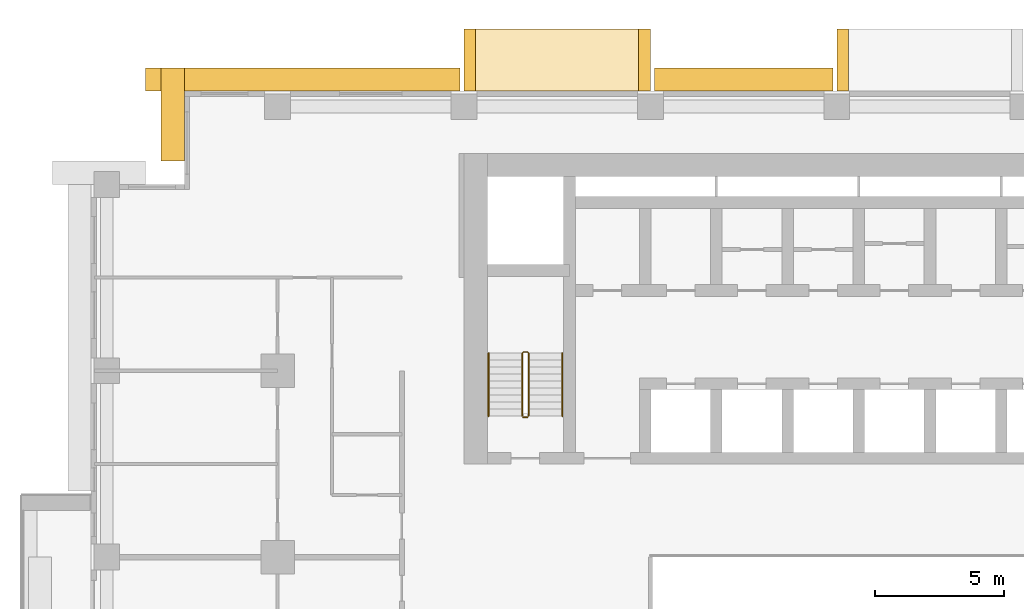
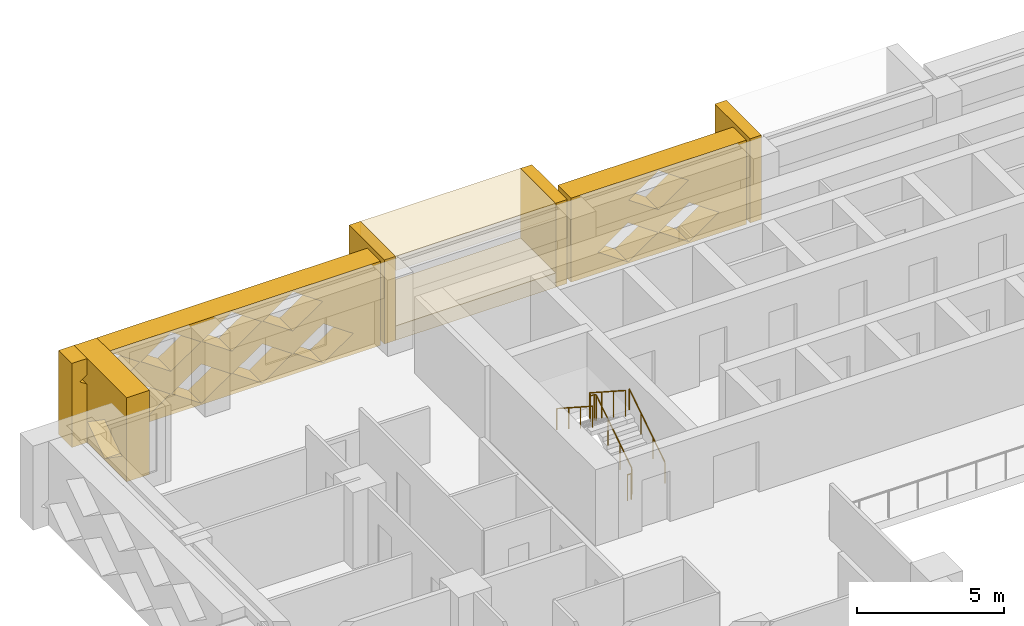
# One storey, part 14 of 16: 8 coverings, 4 railings.
"""IFC4 building model written with IfcOpenShell, lengths in metres."""

from ifc_helpers import new_model, si_unit, direction, frame, origin, origin_2d, place, context, subcontext, project, spatial, polyline, circle, outline, extrude, material, type_object, element, save


model = new_model("IFC4")

# Units and contexts
model_context = context("Model", 3, precision=1e-05, world=origin(), true_north=direction((0.0, 1.0)))
body_context = subcontext(model_context, "Body", "Model", "MODEL_VIEW")
ifc_project = project(units=[si_unit("LENGTHUNIT", "METRE"), si_unit("AREAUNIT", "SQUARE_METRE"), si_unit("VOLUMEUNIT", "CUBIC_METRE"), si_unit("PLANEANGLEUNIT", "RADIAN"), si_unit("MASSUNIT", "GRAM", prefix="KILO")], contexts=[model_context])

# Site, building, storey
site_placement = place(None, origin())
site = spatial("IfcSite", under=ifc_project, at=site_placement, CompositionType="ELEMENT")
building_placement = place(site_placement, origin())
building = spatial("IfcBuilding", under=site, at=building_placement, Name="Saffron Iwan Residences", CompositionType="ELEMENT")
storey_placement = place(building_placement, frame((0.0, 0.0, 65.5)))
storey = spatial("IfcBuildingStorey", under=building, at=storey_placement, Name="L16", CompositionType="ELEMENT", Elevation=65.5)

# Coverings
ifc_material_1 = material(Name="Precast concrete C40/50", Category="concrete")
covering_type_1 = type_object("IfcCoveringType", Name="OUTER SKIN LATTICE SCREEN", PredefinedType="CLADDING", material=ifc_material_1)
covering_1_placement = place(storey_placement, frame((43.050048828125, 80.39990234375, -0.320068359375), z_axis=(0.0, 1.0, 0.0), x_axis=(-1.0, 0.0, 0.0)))
element("IfcCovering", 1, at=covering_1_placement, inside=storey, type_object=covering_type_1, Name="OUTER SKIN lattice screen L16 F5.3", PredefinedType="CLADDING", context=body_context, shape_type="SweptSolid", body=[
    extrude(outline(polyline([(0.0, 0.0), (6.89990234375, 0.0), (6.89990234375, 3.5), (0.0, 3.5), (0.0, 0.0)]), holes=[polyline([(1.070068359375, 0.875), (2.25, 0.06005859375), (3.429931640625, 0.875), (2.25, 1.68994140625), (1.070068359375, 0.875)]), polyline([(3.469970703125, 0.875), (4.64990234375, 0.06005859375), (5.830078125, 0.875), (4.64990234375, 1.68994140625), (3.469970703125, 0.875)]), polyline([(2.27001953125, 2.625), (3.449951171875, 1.81005859375), (4.6298828125, 2.625), (3.449951171875, 3.43994140625), (2.27001953125, 2.625)])]), origin(), (0.0, 0.0, 1.0), 0.900146484375),
])
covering_2_placement = place(storey_placement, frame((28.64990234375, 80.39990234375, -0.320068359375), z_axis=(0.0, 1.0, 0.0), x_axis=(-1.0, 0.0, 0.0)))
element("IfcCovering", 2, at=covering_2_placement, inside=storey, type_object=covering_type_1, Name="OUTER SKIN lattice screen L16 F5.4", PredefinedType="CLADDING", context=body_context, shape_type="SweptSolid", body=[
    extrude(outline(polyline([(0.0, 0.0), (12.14990234375, 0.0), (12.14990234375, 3.5), (0.0, 3.5), (0.0, 0.0)]), holes=[polyline([(1.070068359375, 0.875), (2.25, 0.06005859375), (3.429931640625, 0.875), (2.25, 1.68994140625), (1.070068359375, 0.875)]), polyline([(3.469970703125, 0.875), (4.64990234375, 0.06005859375), (5.830078125, 0.875), (4.64990234375, 1.68994140625), (3.469970703125, 0.875)]), polyline([(5.8701171875, 0.875), (7.050048828125, 0.06005859375), (8.22998046875, 0.875), (7.050048828125, 1.68994140625), (5.8701171875, 0.875)]), polyline([(8.27001953125, 0.875), (9.449951171875, 0.06005859375), (10.6298828125, 0.875), (9.449951171875, 1.68994140625), (8.27001953125, 0.875)]), polyline([(2.27001953125, 2.625), (3.449951171875, 1.81005859375), (4.6298828125, 2.625), (3.449951171875, 3.43994140625), (2.27001953125, 2.625)]), polyline([(4.669921875, 2.625), (5.85009765625, 1.81005859375), (7.030029296875, 2.625), (5.85009765625, 3.43994140625), (4.669921875, 2.625)]), polyline([(7.070068359375, 2.625), (8.25, 1.81005859375), (9.429931640625, 2.625), (8.25, 3.43994140625), (7.070068359375, 2.625)]), polyline([(9.469970703125, 2.625), (10.64990234375, 1.81005859375), (11.830078125, 2.625), (10.64990234375, 3.43994140625), (9.469970703125, 2.625)])]), origin(), (0.0, 0.0, 1.0), 0.900146484375),
])
covering_3_placement = place(storey_placement, frame((18.0, 81.300048828125, -0.320068359375), z_axis=(-1.0, 0.0, 0.0), x_axis=(0.0, -1.0, 0.0)))
element("IfcCovering", 3, at=covering_3_placement, inside=storey, type_object=covering_type_1, Name="OUTER SKIN lattice screen L16 F6.0", PredefinedType="CLADDING", context=body_context, shape_type="SweptSolid", body=[
    extrude(outline(polyline([(0.0, 0.0), (3.60009765625, 0.0), (3.60009765625, 3.5), (0.0, 3.5), (0.0, 0.0)]), holes=[polyline([(0.919921875, 0.875), (2.10009765625, 0.06005859375), (3.280029296875, 0.875), (2.10009765625, 1.68994140625), (0.919921875, 0.875)])]), origin(), (0.0, 0.0, 1.0), 0.89990234375),
])

# Railings
ifc_material_2 = material(Name="Steel S355", Category="steel")
railing_type_1 = type_object("IfcRailingType", Name="Stair guard 1100", PredefinedType="GUARDRAIL", material=ifc_material_2)
railing_1_placement = place(storey_placement, frame((31.300048828125, 67.85009765625, 0.175048828125)))
element("IfcRailing", 4, at=railing_1_placement, inside=storey, type_object=railing_type_1, Name="L16 ST-W stair guard 1", PredefinedType="GUARDRAIL", context=body_context, shape_type="SweptSolid", body=[
    extrude(circle(Radius=0.02392578125, at=origin_2d()), frame((0.0, 0.0, 1.076171875), z_axis=(0.0, 0.839153699163, 0.543894354798), x_axis=(-1.0, 0.0, 0.0)), (0.0, 0.0, 1.0), 2.895751953125),
    extrude(circle(Radius=0.02392578125, at=origin_2d()), frame((0.0, 2.429931640625, 2.65087890625), z_axis=(-0.707106781187, 0.707106781187, 0.0), x_axis=(-0.707106781187, -0.707106781187, 0.0)), (0.0, 0.0, 1.0), 0.07080078125),
    extrude(circle(Radius=0.02392578125, at=origin_2d()), frame((-0.050048828125, 2.47998046875, 2.65087890625), z_axis=(-1.0, 0.0, 0.0), x_axis=(0.0, -1.0, 0.0)), (0.0, 0.0, 1.0), 0.14990234375),
    extrude(circle(Radius=0.02392578125, at=origin_2d()), frame((-0.199951171875, 2.47998046875, 2.65087890625), z_axis=(-0.265065253269, -0.265065253269, 0.927081885822), x_axis=(0.707106781187, -0.707106781187, 0.0)), (0.0, 0.0, 1.0), 0.188720703125),
    extrude(circle(Radius=0.02392578125, at=origin_2d()), frame((-0.25, 2.429931640625, 2.826171875), z_axis=(0.0, -0.839153699163, 0.543894354798), x_axis=(1.0, 0.0, 0.0)), (0.0, 0.0, 1.0), 2.895751953125),
    extrude(circle(Radius=0.02099609375, at=origin_2d()), origin(), (0.0, 0.0, 1.0), 1.052001953125),
    extrude(circle(Radius=0.02099609375, at=origin_2d()), frame((0.0, 0.81005859375, 0.52490234375)), (0.0, 0.0, 1.0), 1.052001953125),
    extrude(circle(Radius=0.02099609375, at=origin_2d()), frame((0.0, 1.619873046875, 1.050048828125)), (0.0, 0.0, 1.0), 1.052001953125),
    extrude(circle(Radius=0.02099609375, at=origin_2d()), frame((0.0, 2.429931640625, 1.574951171875)), (0.0, 0.0, 1.0), 1.052001953125),
    extrude(circle(Radius=0.02099609375, at=origin_2d()), frame((-0.050048828125, 2.47998046875, 1.574951171875)), (0.0, 0.0, 1.0), 1.052001953125),
    extrude(circle(Radius=0.02099609375, at=origin_2d()), frame((-0.199951171875, 2.47998046875, 1.574951171875)), (0.0, 0.0, 1.0), 1.052001953125),
    extrude(circle(Radius=0.02099609375, at=origin_2d()), frame((-0.25, 2.429931640625, 1.75)), (0.0, 0.0, 1.0), 1.052001953125),
    extrude(circle(Radius=0.02099609375, at=origin_2d()), frame((-0.25, 1.619873046875, 2.27490234375)), (0.0, 0.0, 1.0), 1.052001953125),
    extrude(circle(Radius=0.02099609375, at=origin_2d()), frame((-0.25, 0.81005859375, 2.800048828125)), (0.0, 0.0, 1.0), 1.052001953125),
    extrude(circle(Radius=0.02099609375, at=origin_2d()), frame((-0.25, 0.0, 3.324951171875)), (0.0, 0.0, 1.0), 1.052001953125),
])
railing_2_placement = place(storey_placement, frame((31.25, 67.800048828125, 0.0)))
element("IfcRailing", 5, at=railing_2_placement, inside=storey, type_object=railing_type_1, Name="L16 ST-W stair guard 2", PredefinedType="GUARDRAIL", context=body_context, shape_type="SweptSolid", body=[
    extrude(circle(Radius=0.02392578125, at=origin_2d()), frame((0.0, 0.0, 1.076171875), z_axis=(-1.0, 0.0, 0.0), x_axis=(0.0, -1.0, 0.0)), (0.0, 0.0, 1.0), 0.14990234375),
    extrude(circle(Radius=0.02099609375, at=origin_2d()), origin(), (0.0, 0.0, 1.0), 1.052001953125),
    extrude(circle(Radius=0.02099609375, at=origin_2d()), frame((-0.14990234375, 0.0, 0.0)), (0.0, 0.0, 1.0), 1.052001953125),
])
ifc_material_3 = material(Name="Stainless steel 316", Category="steel")
railing_type_2 = type_object("IfcRailingType", Name="Stair handrail 900", PredefinedType="HANDRAIL", material=ifc_material_3)
railing_3_placement = place(storey_placement, frame((32.60009765625, 67.85009765625, 0.175048828125)))
element("IfcRailing", 6, at=railing_3_placement, inside=storey, type_object=railing_type_2, Name="L16 ST-W stair handrail 1", PredefinedType="HANDRAIL", context=body_context, shape_type="SweptSolid", body=[
    extrude(circle(Radius=0.02392578125, at=origin_2d()), frame((0.0, 0.0, 0.8759765625), z_axis=(0.0, 0.839153699163, 0.543894354798), x_axis=(-1.0, 0.0, 0.0)), (0.0, 0.0, 1.0), 2.895751953125),
    extrude(circle(Radius=0.02099609375, at=origin_2d()), origin(), (0.0, 0.0, 1.0), 0.851806640625),
    extrude(circle(Radius=0.02099609375, at=origin_2d()), frame((0.0, 0.81005859375, 0.52490234375)), (0.0, 0.0, 1.0), 0.851806640625),
    extrude(circle(Radius=0.02099609375, at=origin_2d()), frame((0.0, 1.619873046875, 1.050048828125)), (0.0, 0.0, 1.0), 0.851806640625),
    extrude(circle(Radius=0.02099609375, at=origin_2d()), frame((0.0, 2.429931640625, 1.574951171875)), (0.0, 0.0, 1.0), 0.851806640625),
])
railing_4_placement = place(storey_placement, frame((29.75, 70.280029296875, 1.925048828125)))
element("IfcRailing", 7, at=railing_4_placement, inside=storey, type_object=railing_type_2, Name="L16 ST-W stair handrail 2", PredefinedType="HANDRAIL", context=body_context, shape_type="SweptSolid", body=[
    extrude(circle(Radius=0.02392578125, at=origin_2d()), frame((0.0, 0.0, 0.8759765625), z_axis=(0.0, -0.839153699163, 0.543894354798), x_axis=(1.0, 0.0, 0.0)), (0.0, 0.0, 1.0), 2.895751953125),
    extrude(circle(Radius=0.02099609375, at=origin_2d()), origin(), (0.0, 0.0, 1.0), 0.851806640625),
    extrude(circle(Radius=0.02099609375, at=origin_2d()), frame((0.0, -0.81005859375, 0.52490234375)), (0.0, 0.0, 1.0), 0.851806640625),
    extrude(circle(Radius=0.02099609375, at=origin_2d()), frame((0.0, -1.619873046875, 1.050048828125)), (0.0, 0.0, 1.0), 0.851806640625),
    extrude(circle(Radius=0.02099609375, at=origin_2d()), frame((0.0, -2.429931640625, 1.574951171875)), (0.0, 0.0, 1.0), 0.851806640625),
])

# Coverings
ifc_material_4 = material(Name="Precast concrete C40/50 white painted", Category="concrete")
covering_type_2 = type_object("IfcCoveringType", Name="WHITE SUN FRAME PRECAST", PredefinedType="CLADDING", material=ifc_material_4)
for number, where, z_axis, x_axis, name in (
    (8, (43.64990234375, 80.39990234375, -0.320068359375), (0.0, 1.0, 0.0), (-1.0, 0.0, 0.0), "Sun frame L16 F5 32.4b"),
    (9, (36.0, 80.39990234375, -0.320068359375), (0.0, 1.0, 0.0), (-1.0, 0.0, 0.0), "Sun frame L16 F5 46.8a"),
    (10, (29.25, 80.39990234375, -0.320068359375), (0.0, 1.0, 0.0), (-1.0, 0.0, 0.0), "Sun frame L16 F5 46.8b"),
):
    element("IfcCovering", number, at=place(storey_placement, frame(where, z_axis=z_axis, x_axis=x_axis)), inside=storey, type_object=covering_type_2, Name=name, PredefinedType="CLADDING", context=body_context, shape_type="SweptSolid", body=[
        extrude(outline(polyline([(0.0, 0.0), (0.449951171875, 0.0), (0.449951171875, 3.5), (0.0, 3.5), (0.0, 0.0)])), origin(), (0.0, 0.0, 1.0), 2.400146484375),
    ])
for number, where, z_axis, x_axis, name in (
    (11, (35.550048828125, 80.39990234375, 2.580078125), (0.0, 1.0, 0.0), (-1.0, 0.0, 0.0), "Sun frame L16 F5 46.8h"),
    (12, (35.550048828125, 80.39990234375, -0.320068359375), (0.0, 1.0, 0.0), (-1.0, 0.0, 0.0), "Sun frame L16 F5 46.8s"),
):
    element("IfcCovering", number, at=place(storey_placement, frame(where, z_axis=z_axis, x_axis=x_axis)), inside=storey, type_object=covering_type_2, Name=name, PredefinedType="CLADDING", context=body_context, shape_type="SweptSolid", body=[
        extrude(outline(polyline([(0.0, 0.0), (6.300048828125, 0.0), (6.300048828125, 0.60009765625), (0.0, 0.60009765625), (0.0, 0.0)])), origin(), (0.0, 0.0, 1.0), 2.400146484375),
    ])

save(model, "model.ifc")
